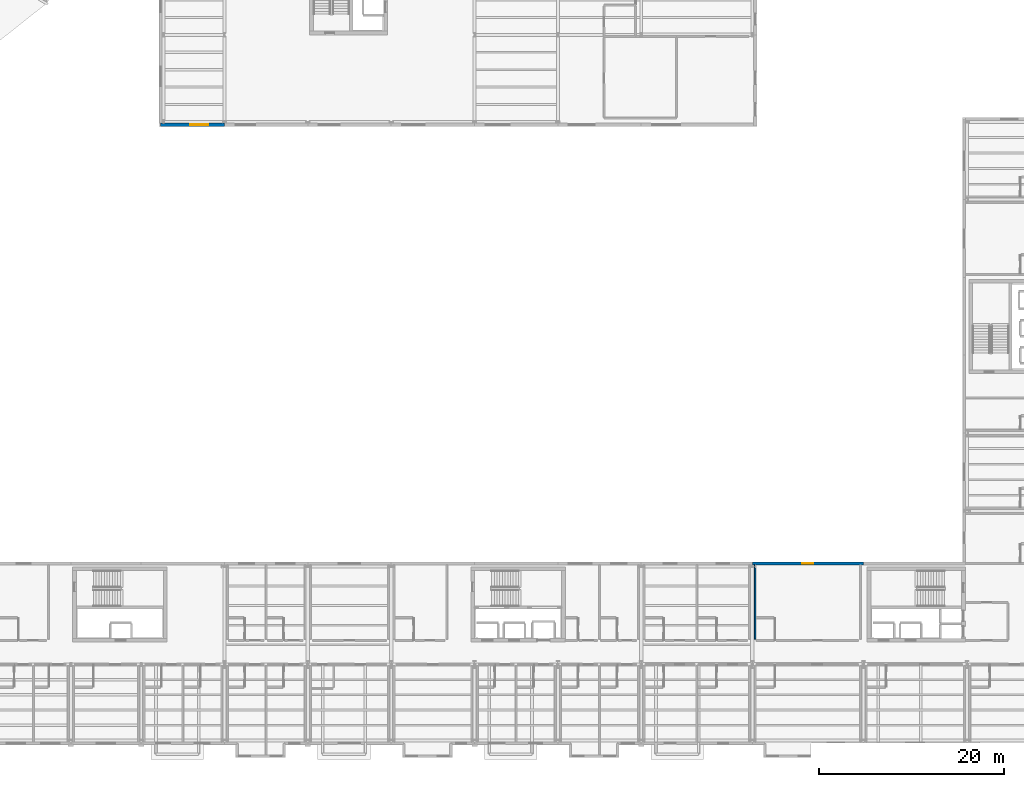
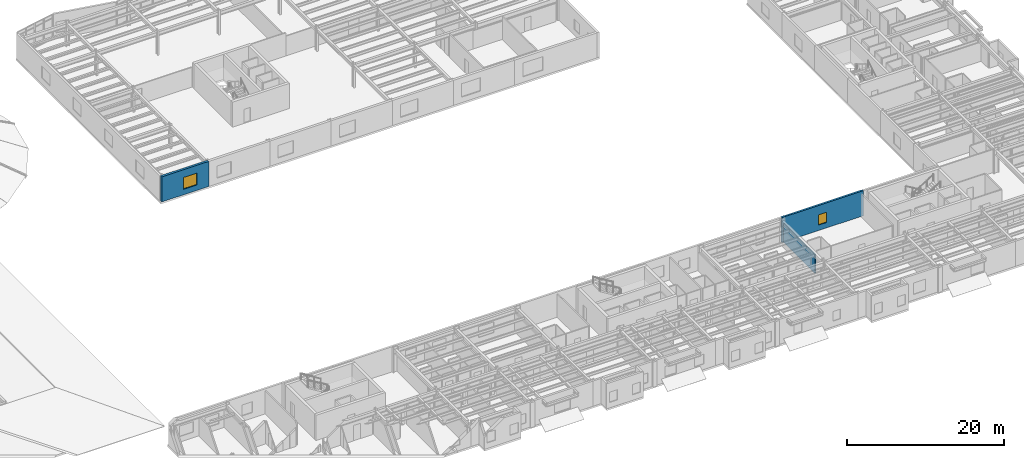
# One storey, part 32 of 46: 3 walls, 2 windows, 2 openings.
"""IFC4 building model written with IfcOpenShell, lengths in metres."""

from ifc_helpers import new_model, si_unit, direction, frame, frame_2d, origin, place, context, subcontext, project, spatial, rectangle, extrude, material, layer, layer_set, type_object, element, fill, save


model = new_model("IFC4")

# Units and contexts
model_context = context("Model", 3, precision=1e-05, world=origin(), true_north=direction((0.0, 1.0)))
body_context = subcontext(model_context, "Body", "Model", "MODEL_VIEW")
ifc_project = project(units=[si_unit("LENGTHUNIT", "METRE"), si_unit("AREAUNIT", "SQUARE_METRE"), si_unit("VOLUMEUNIT", "CUBIC_METRE"), si_unit("PLANEANGLEUNIT", "RADIAN"), si_unit("MASSUNIT", "GRAM", prefix="KILO")], contexts=[model_context])

# Site, building, storey
site_placement = place(None, origin())
site = spatial("IfcSite", under=ifc_project, at=site_placement, CompositionType="ELEMENT")
building_placement = place(site_placement, origin())
building = spatial("IfcBuilding", under=site, at=building_placement, Name="Sollismere Congress Hotel", CompositionType="ELEMENT")
storey_placement = place(building_placement, frame((0.0, 0.0, 19.5)))
storey = spatial("IfcBuildingStorey", under=building, at=storey_placement, Name="L04", CompositionType="ELEMENT", Elevation=19.5)

# Wall, opening, window
ifc_material_1 = material(Name="Colorado Buff Sandstone Rainscreen on Insulated Backup", Category="masonry")
ifc_layer_1 = layer(ifc_material_1, 0.284912109375, Name="Colorado Buff Sandstone Rainscreen on Insulated Backup")
ifc_layer_set_1 = layer_set([ifc_layer_1], Name="Colorado Buff Sandstone Rainscreen on Insulated Backup")
wall_type_1 = type_object("IfcWallType", Name="WL-EXT285", PredefinedType="STANDARD", material=ifc_layer_set_1)
wall_1_placement = place(storey_placement, frame((136.0, 19.110107421875, 0.0), z_axis=(0.0, 0.0, 1.0), x_axis=(-1.0, 0.0, 0.0)))
wall_1 = element("IfcWall", 1, at=wall_1_placement, inside=storey, type_object=wall_type_1, Name="Exterior wall EW-L04-554", PredefinedType="STANDARD", context=body_context, shape_type="SweptSolid", body=[
    extrude(rectangle(XDim=12.0, YDim=0.284912109375, at=frame_2d((6.0, 0.0))), origin(), (0.0, 0.0, 1.0), 3.89990234375),
])
opening_1_placement = place(wall_1_placement, frame((5.39990234375, 0.0, 0.85009765625)))
opening_1 = element("IfcOpeningElement", 2, at=opening_1_placement, cuts=wall_1, Name="Opening W-L04-416", PredefinedType="OPENING", context=body_context, shape_type="SweptSolid", body=[
    extrude(rectangle(XDim=1.199951171875, YDim=1.60009765625, at=frame_2d((0.60009765625, 0.800048828125))), frame((0.0, 0.15234375, 0.0), z_axis=(0.0, -1.0, 0.0), x_axis=(1.0, 0.0, 0.0)), (0.0, 0.0, 1.0), 0.304931640625),
])
ifc_material_2 = material(Name="Thermally Broken Bronze Aluminum & Low-E Glass", Category="aluminium")
window_type_1 = type_object("IfcWindowType", Name="WN-P120x160", PartitioningType="SINGLE_PANEL", PredefinedType="WINDOW", material=ifc_material_2)
window_1_placement = place(opening_1_placement, origin())
window_1 = element("IfcWindow", 3, at=window_1_placement, inside=storey, type_object=window_type_1, Name="WIN-W-L04-416", OverallHeight=1.60009765625, OverallWidth=1.199951171875, PartitioningType="SINGLE_PANEL", PredefinedType="WINDOW", context=body_context, shape_type="SweptSolid", body=[
    extrude(rectangle(XDim=1.199951171875, YDim=1.60009765625, at=frame_2d((0.60009765625, 0.800048828125))), frame((0.0, 0.030029296875, 0.0), z_axis=(0.0, -1.0, 0.0), x_axis=(1.0, 0.0, 0.0)), (0.0, 0.0, 1.0), 0.06005859375),
])
fill(opening_1, window_1)

ifc_material_3 = material(Name="Colorado Buff Sandstone and Limestone Backup C40/50", Category="masonry")
ifc_layer_2 = layer(ifc_material_3, 0.340087890625, Name="Colorado Buff Sandstone and Limestone Backup C40/50")
ifc_layer_set_2 = layer_set([ifc_layer_2], Name="Colorado Buff Sandstone and Limestone Backup C40/50")
wall_type_2 = type_object("IfcWallType", Name="WL-EXT340", PredefinedType="STANDARD", material=ifc_layer_set_2)
wall_2_placement = place(storey_placement, frame((60.090087890625, 66.489990234375, 0.0), z_axis=(0.0, 0.0, 1.0), x_axis=(1.0, 0.0, 0.0)))
wall_2 = element("IfcWall", 4, at=wall_2_placement, inside=storey, type_object=wall_type_2, Name="Exterior wall EW-L04-080", PredefinedType="STANDARD", context=body_context, shape_type="SweptSolid", body=[
    extrude(rectangle(XDim=6.909912109375, YDim=0.340087890625, at=frame_2d((3.455078125, 0.0))), origin(), (0.0, 0.0, 1.0), 3.89990234375),
])
opening_2_placement = place(wall_2_placement, frame((3.199951171875, 0.0, 0.85009765625)))
opening_2 = element("IfcOpeningElement", 5, at=opening_2_placement, cuts=wall_2, Name="Opening W-L04-084", PredefinedType="OPENING", context=body_context, shape_type="SweptSolid", body=[
    extrude(rectangle(XDim=1.949951171875, YDim=1.85009765625, at=frame_2d((0.97509765625, 0.925048828125))), frame((0.0, 0.179931640625, 0.0), z_axis=(0.0, -1.0, 0.0), x_axis=(1.0, 0.0, 0.0)), (0.0, 0.0, 1.0), 0.360107421875),
])
window_type_2 = type_object("IfcWindowType", Name="WN-P195x185", PartitioningType="SINGLE_PANEL", PredefinedType="WINDOW", material=ifc_material_2)
window_2_placement = place(opening_2_placement, origin())
window_2 = element("IfcWindow", 6, at=window_2_placement, inside=storey, type_object=window_type_2, Name="WIN-W-L04-084", OverallHeight=1.85009765625, OverallWidth=1.949951171875, PartitioningType="SINGLE_PANEL", PredefinedType="WINDOW", context=body_context, shape_type="SweptSolid", body=[
    extrude(rectangle(XDim=1.949951171875, YDim=1.85009765625, at=frame_2d((0.97509765625, 0.925048828125))), frame((0.0, 0.030029296875, 0.0), z_axis=(0.0, -1.0, 0.0), x_axis=(1.0, 0.0, 0.0)), (0.0, 0.0, 1.0), 0.06005859375),
])
fill(opening_2, window_2)

# Wall
ifc_material_4 = material(Name="Fire-Rated Acoustic Gypsum Partition")
ifc_layer_3 = layer(ifc_material_4, 0.1650390625, Name="Fire-Rated Acoustic Gypsum Partition")
ifc_layer_set_3 = layer_set([ifc_layer_3], Name="Fire-Rated Acoustic Gypsum Partition")
wall_type_3 = type_object("IfcWallType", Name="WL-PRT165R", PredefinedType="PARTITIONING", material=ifc_layer_set_3)
wall_3_placement = place(storey_placement, frame((124.300048828125, 10.93994140625, 0.0), z_axis=(0.0, 0.0, 1.0), x_axis=(0.0, 1.0, 0.0)))
element("IfcWall", 7, at=wall_3_placement, inside=storey, type_object=wall_type_3, Name="Interior wall IW-L04-1629", PredefinedType="PARTITIONING", context=body_context, shape_type="SweptSolid", body=[
    extrude(rectangle(XDim=8.012451171875, YDim=0.1650390625, at=frame_2d((4.00634765625, 0.0))), origin(), (0.0, 0.0, 1.0), 2.9140625),
])

save(model, "model.ifc")
